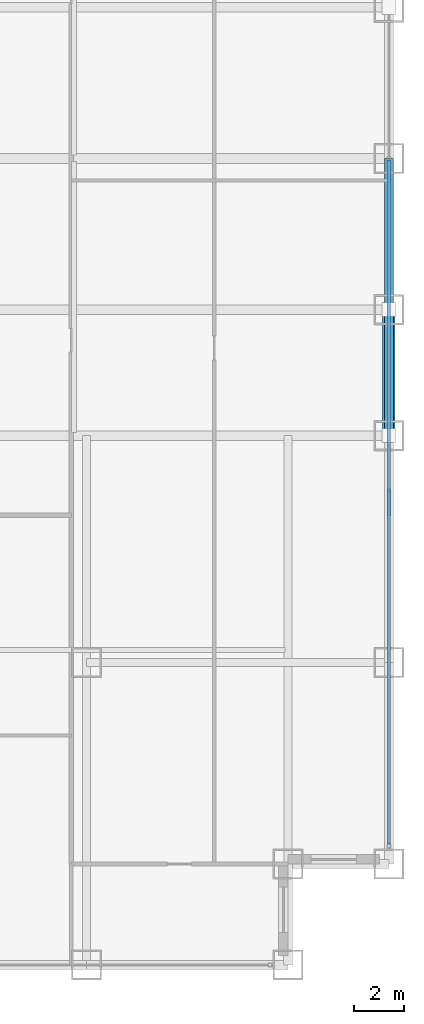
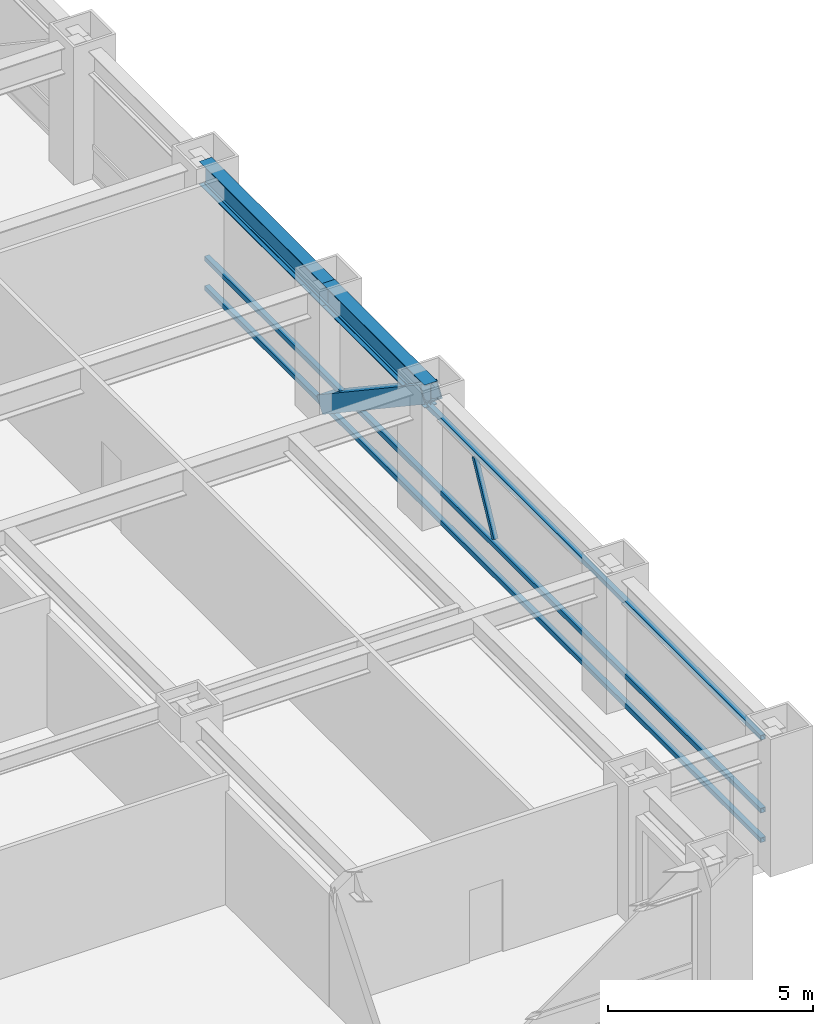
# One storey, part 13 of 28: 5 members, 2 beams, 1 element without a shape of its own.
"""IFC4 building model written with IfcOpenShell, lengths in metres."""

from ifc_helpers import new_model, si_unit, direction, frame, origin, origin_2d, place, context, subcontext, project, spatial, hollow_rectangle, i_section, extrude, source, transform, mapped, material, material_profile, profile_set, type_object, element, aggregate, save


model = new_model("IFC4")

# Units and contexts
model_context = context("Model", 3, precision=1e-05, world=origin(), true_north=direction((0.0, 1.0)))
body_context = subcontext(model_context, "Body", "Model", "MODEL_VIEW")
ifc_project = project(units=[si_unit("LENGTHUNIT", "METRE"), si_unit("AREAUNIT", "SQUARE_METRE"), si_unit("VOLUMEUNIT", "CUBIC_METRE"), si_unit("PLANEANGLEUNIT", "RADIAN"), si_unit("MASSUNIT", "GRAM", prefix="KILO")], contexts=[model_context])

# Site, building, storey
site_placement = place(None, origin())
site = spatial("IfcSite", under=ifc_project, at=site_placement, CompositionType="ELEMENT")
building_placement = place(site_placement, origin())
building = spatial("IfcBuilding", under=site, at=building_placement, Name="Khorayat Bourse Tower", CompositionType="ELEMENT")
storey_placement = place(building_placement, frame((0.0, 0.0, 124.199951171875)))
storey = spatial("IfcBuildingStorey", under=building, at=storey_placement, Name="L28", CompositionType="ELEMENT", Elevation=124.199951171875)

# Beams
ifc_material_1 = material(Name="Steel ASTM A992 Grade 50", Category="steel")
ifc_material_profile_1 = material_profile(ifc_material_1, i_section(OverallWidth=0.35498046875, OverallDepth=0.695068359375, WebThickness=0.015380859375, FlangeThickness=0.02490234375, FilletRadius=0.01806640625, at=origin_2d()), Name="W690X217")
ifc_profile_set_1 = profile_set([ifc_material_profile_1], Name="Steel ASTM A992 Grade 50")
beam_type = type_object("IfcBeamType", Name="BM-SPAN-690", PredefinedType="SPANDREL", material=ifc_profile_set_1)
shared_shape_1 = source(origin(), body_context, "Body", "SweptSolid", [
    extrude(i_section(OverallWidth=0.35498046875, OverallDepth=0.695068359375, WebThickness=0.015380859375, FlangeThickness=0.02490234375, FilletRadius=0.01806640625, at=origin_2d()), origin(), (0.0, 0.0, 1.0), 5.0),
])
beam_1_placement = place(storey_placement, frame((32.0, -11.0, 3.492431640625), z_axis=(0.0, 1.0, 0.0), x_axis=(-1.0, 0.0, 0.0)))
element("IfcBeam", 1, at=beam_1_placement, inside=storey, type_object=beam_type, Name="L28 BM-SPAN-690 BM-L28-SPN-036", PredefinedType="SPANDREL", context=body_context, shape_type="MappedRepresentation", body=[
    mapped(shared_shape_1, transform((0.0, 0.0, 0.0), scale=1.0)),
])
shared_shape_2 = source(origin(), body_context, "Body", "SweptSolid", [
    extrude(i_section(OverallWidth=0.35498046875, OverallDepth=0.695068359375, WebThickness=0.015380859375, FlangeThickness=0.02490234375, FilletRadius=0.01806640625, at=origin_2d()), origin(), (0.0, 0.0, 1.0), 6.0),
])
beam_2_placement = place(storey_placement, frame((32.0, -6.0, 3.492431640625), z_axis=(0.0, 1.0, 0.0), x_axis=(-1.0, 0.0, 0.0)))
element("IfcBeam", 2, at=beam_2_placement, inside=storey, type_object=beam_type, Name="L28 BM-SPAN-690 BM-L28-SPN-037", PredefinedType="SPANDREL", context=body_context, shape_type="MappedRepresentation", body=[
    mapped(shared_shape_2, transform((0.0, 0.0, 0.0), scale=1.0)),
])

# Member
ifc_material_2 = material(Name="Steel EN 10025-4 S460M", Category="steel")
ifc_material_profile_2 = material_profile(ifc_material_2, hollow_rectangle(XDim=0.5, YDim=0.5, WallThickness=0.028076171875, at=origin_2d()), Name="HSS 500x500x28")
ifc_profile_set_2 = profile_set([ifc_material_profile_2], Name="Steel EN 10025-4 S460M")
member_type_1 = type_object("IfcMemberType", Name="MBR-TUBE-500", PredefinedType="BRACE", material=ifc_profile_set_2)
shared_shape_3 = source(origin(), body_context, "Body", "SweptSolid", [
    extrude(hollow_rectangle(XDim=0.5, YDim=0.5, WallThickness=0.028076171875, at=origin_2d()), origin(), (0.0, 0.0, 1.0), 6.012939453125),
])
member_1_placement = place(storey_placement, frame((32.0, -11.0, 3.590087890625), z_axis=(0.0, 0.831531473026, -0.555477640745), x_axis=(-1.0, 0.0, 0.0)))
element("IfcMember", 3, at=member_1_placement, inside=storey, type_object=member_type_1, Name="L28 Perimeter Tube Brace 07", PredefinedType="BRACE", context=body_context, shape_type="MappedRepresentation", body=[
    mapped(shared_shape_3, transform((0.0, 0.0, 0.0), scale=1.0)),
])

# Curtain wall, members
ifc_material_3 = material(Name="Aluminium EN AW-6063 T6", Category="aluminium")
curtain_wall_type = type_object("IfcCurtainWallType", Name="CW-SYS-02", PredefinedType="NOTDEFINED", material=ifc_material_3)
curtain_wall_placement = place(storey_placement, origin())
curtain_wall = element("IfcCurtainWall", 4, at=curtain_wall_placement, inside=storey, type_object=curtain_wall_type, Name="L28 Curtain Wall CW-L28-E1", PredefinedType="NOTDEFINED")
ifc_material_profile_3 = material_profile(ifc_material_3, hollow_rectangle(XDim=0.139892578125, YDim=0.139892578125, WallThickness=0.006103515625, at=origin_2d()), Name="ALU 140x140x6")
ifc_profile_set_3 = profile_set([ifc_material_profile_3], Name="Aluminium EN AW-6063 T6")
member_type_2 = type_object("IfcMemberType", Name="CWT-HORZ-140", PredefinedType="USERDEFINED", material=ifc_profile_set_3)
shared_shape_4 = source(origin(), body_context, "Body", "SweptSolid", [
    extrude(hollow_rectangle(XDim=0.139892578125, YDim=0.139892578125, WallThickness=0.006103515625, at=origin_2d()), origin(), (0.0, 0.0, 1.0), 27.139892578125),
])
member_2_placement = place(storey_placement, frame((32.0, -27.2099609375, 0.070068359375), z_axis=(0.0, 1.0, 0.0), x_axis=(-1.0, 0.0, 0.0)))
member_2 = element("IfcMember", 5, at=member_2_placement, type_object=member_type_2, Name="CW-L28-E1 Horizontal Transom 1-1", ObjectType="TRANSOM", PredefinedType="USERDEFINED", context=body_context, shape_type="MappedRepresentation", body=[
    mapped(shared_shape_4, transform((0.0, 0.0, 0.0), scale=1.0)),
])
member_3_placement = place(storey_placement, frame((32.0, -27.2099609375, 0.949951171875), z_axis=(0.0, 1.0, 0.0), x_axis=(-1.0, 0.0, 0.0)))
member_3 = element("IfcMember", 6, at=member_3_placement, type_object=member_type_2, Name="CW-L28-E1 Horizontal Transom 1-2", ObjectType="TRANSOM", PredefinedType="USERDEFINED", context=body_context, shape_type="MappedRepresentation", body=[
    mapped(shared_shape_4, transform((0.0, 0.0, 0.0), scale=1.0)),
])
member_4_placement = place(storey_placement, frame((32.0, -27.2099609375, 3.1201171875), z_axis=(0.0, 1.0, 0.0), x_axis=(-1.0, 0.0, 0.0)))
member_4 = element("IfcMember", 7, at=member_4_placement, type_object=member_type_2, Name="CW-L28-E1 Horizontal Transom 1-3", ObjectType="TRANSOM", PredefinedType="USERDEFINED", context=body_context, shape_type="MappedRepresentation", body=[
    mapped(shared_shape_4, transform((0.0, 0.0, 0.0), scale=1.0)),
])
ifc_material_profile_4 = material_profile(ifc_material_3, hollow_rectangle(XDim=0.1201171875, YDim=0.1201171875, WallThickness=0.0048828125, at=origin_2d()), Name="ALU 120x120x5")
ifc_profile_set_4 = profile_set([ifc_material_profile_4], Name="Aluminium EN AW-6063 T6")
member_type_3 = type_object("IfcMemberType", Name="CWM-DIAG-120", PredefinedType="MULLION", material=ifc_profile_set_4)
shared_shape_5 = source(origin(), body_context, "Body", "SweptSolid", [
    extrude(hollow_rectangle(XDim=0.1201171875, YDim=0.1201171875, WallThickness=0.0048828125, at=origin_2d()), origin(), (0.0, 0.0, 1.0), 2.113037109375),
])
member_5_placement = place(storey_placement, frame((32.0, -14.132080078125, 1.10009765625), z_axis=(0.0, 0.465741670874, 0.884920728659), x_axis=(-1.0, 0.0, 0.0)))
member_5 = element("IfcMember", 8, at=member_5_placement, type_object=member_type_3, Name="CW-L28-E1 Faceted Diagonal Mullion 1", PredefinedType="MULLION", context=body_context, shape_type="MappedRepresentation", body=[
    mapped(shared_shape_5, transform((0.0, 0.0, 0.0), scale=1.0)),
])
aggregate(curtain_wall, [member_2, member_3, member_4, member_5])

save(model, "model.ifc")
